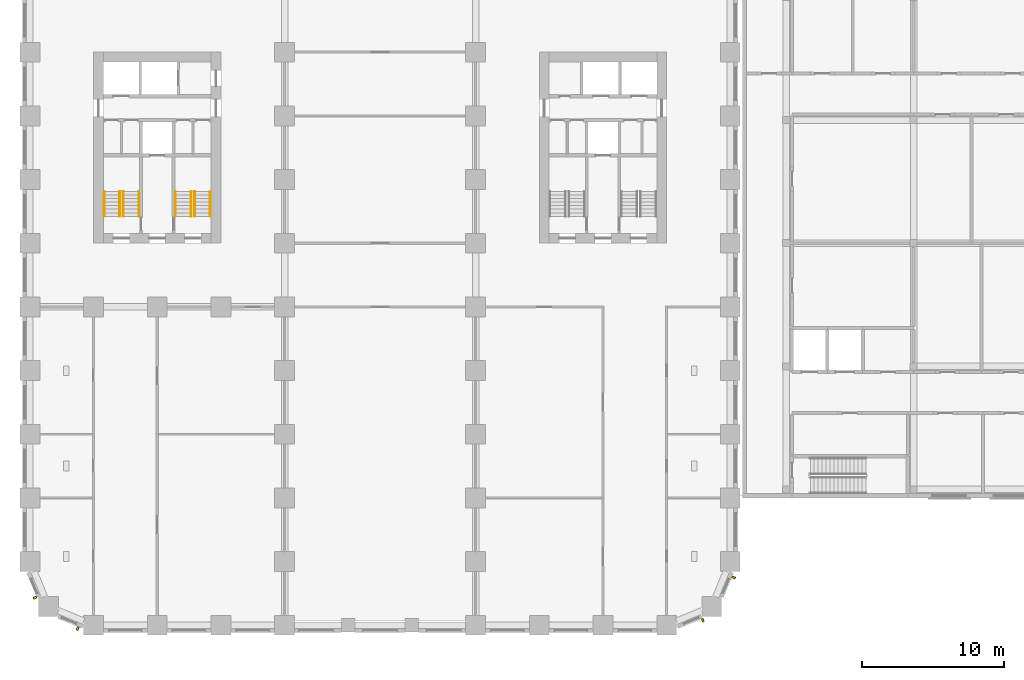
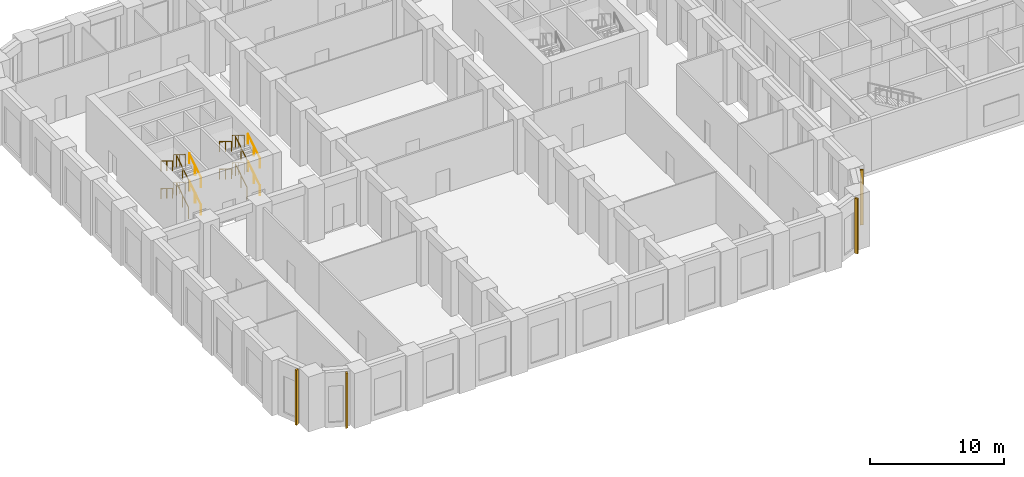
# One storey, part 13 of 19: 16 railings, 4 shading devices.
"""IFC4 building model written with IfcOpenShell, lengths in metres."""

from ifc_helpers import new_model, si_unit, direction, frame, origin, origin_2d, place, context, subcontext, project, spatial, rectangle, circle, extrude, material, type_object, element, save


model = new_model("IFC4")

# Units and contexts
model_context = context("Model", 3, precision=1e-05, world=origin(), true_north=direction((0.0, 1.0)))
body_context = subcontext(model_context, "Body", "Model", "MODEL_VIEW")
ifc_project = project(units=[si_unit("LENGTHUNIT", "METRE"), si_unit("AREAUNIT", "SQUARE_METRE"), si_unit("VOLUMEUNIT", "CUBIC_METRE"), si_unit("PLANEANGLEUNIT", "RADIAN"), si_unit("MASSUNIT", "GRAM", prefix="KILO")], contexts=[model_context])

# Site, building, storey
site_placement = place(None, origin())
site = spatial("IfcSite", under=ifc_project, at=site_placement, CompositionType="ELEMENT")
building_placement = place(site_placement, origin())
building = spatial("IfcBuilding", under=site, at=building_placement, Name="Girih Gate Residences", CompositionType="ELEMENT")
storey_placement = place(building_placement, frame((0.0, 0.0, 21.0)))
storey = spatial("IfcBuildingStorey", under=building, at=storey_placement, Name="L04", CompositionType="ELEMENT", Elevation=21.0)

# Shading devices
ifc_material_1 = material(Name="Precast concrete C50/60", Category="concrete")
shading_device_type = type_object("IfcShadingDeviceType", Name="Corner rib 150x250", PredefinedType="USERDEFINED", material=ifc_material_1)
for number, where, z_axis, x_axis, name in (
    (1, (0.35498046875, 1.9443359375, 0.0), (0.0, 0.0, 1.0), (0.382683432365, -0.923879532511, 0.0), "Corner rib SW0000_0045.0"),
    (2, (3.376220703125, -0.238037109375, 0.0), (0.0, 0.0, 1.0), (0.923879532511, -0.382683432365, 0.0), "Corner rib SW0013_0013.0"),
    (3, (47.5556640625, 0.35498046875, 0.0), (0.0, 0.0, 1.0), (0.923879532511, 0.382683432365, 0.0), "Corner rib SE0450_0000.0"),
    (4, (49.738037109375, 3.376220703125, 0.0), (0.0, 0.0, 1.0), (0.382683432365, 0.923879532511, 0.0), "Corner rib SE0482_0013.0"),
):
    element("IfcShadingDevice", number, at=place(storey_placement, frame(where, z_axis=z_axis, x_axis=x_axis)), inside=storey, type_object=shading_device_type, Name=name, ObjectType="FIN", PredefinedType="USERDEFINED", context=body_context, shape_type="SweptSolid", body=[
        extrude(rectangle(XDim=0.14990234375, YDim=0.25, at=origin_2d()), origin(), (0.0, 0.0, 1.0), 5.0),
    ])

# Railings
ifc_material_2 = material(Name="Stainless steel", Category="steel")
railing_type_1 = type_object("IfcRailingType", Name="Stair guard 1100", PredefinedType="GUARDRAIL", material=ifc_material_2)
railing_1_placement = place(storey_placement, frame((6.60009765625, 28.89990234375, 0.15625)))
element("IfcRailing", 5, at=railing_1_placement, inside=storey, type_object=railing_type_1, Name="L04 ST-W1 stair guard 1", PredefinedType="GUARDRAIL", context=body_context, shape_type="SweptSolid", body=[
    extrude(circle(Radius=0.02392578125, at=origin_2d()), frame((0.0, 0.0, 1.076171875), z_axis=(0.0, 0.847998304005, 0.529998940003), x_axis=(-1.0, 0.0, 0.0)), (0.0, 0.0, 1.0), 2.063720703125),
    extrude(circle(Radius=0.02099609375, at=origin_2d()), origin(), (0.0, 0.0, 1.0), 1.052001953125),
    extrude(circle(Radius=0.02099609375, at=origin_2d()), frame((0.0, 0.875, 0.546875)), (0.0, 0.0, 1.0), 1.052001953125),
    extrude(circle(Radius=0.02099609375, at=origin_2d()), frame((0.0, 1.75, 1.09375)), (0.0, 0.0, 1.0), 1.052001953125),
])
railing_2_placement = place(storey_placement, frame((6.35009765625, 30.64990234375, 1.40625)))
element("IfcRailing", 6, at=railing_2_placement, inside=storey, type_object=railing_type_1, Name="L04 ST-W1 stair guard 2", PredefinedType="GUARDRAIL", context=body_context, shape_type="SweptSolid", body=[
    extrude(circle(Radius=0.02392578125, at=origin_2d()), frame((0.0, 0.0, 1.076171875), z_axis=(0.0, -0.847998304005, 0.529998940003), x_axis=(1.0, 0.0, 0.0)), (0.0, 0.0, 1.0), 2.063720703125),
    extrude(circle(Radius=0.02099609375, at=origin_2d()), origin(), (0.0, 0.0, 1.0), 1.052001953125),
    extrude(circle(Radius=0.02099609375, at=origin_2d()), frame((0.0, -0.875, 0.546875)), (0.0, 0.0, 1.0), 1.052001953125),
    extrude(circle(Radius=0.02099609375, at=origin_2d()), frame((0.0, -1.75, 1.09375)), (0.0, 0.0, 1.0), 1.052001953125),
])
railing_3_placement = place(storey_placement, frame((6.60009765625, 28.89990234375, 2.65625)))
element("IfcRailing", 7, at=railing_3_placement, inside=storey, type_object=railing_type_1, Name="L04 ST-W1 stair guard 3", PredefinedType="GUARDRAIL", context=body_context, shape_type="SweptSolid", body=[
    extrude(circle(Radius=0.02392578125, at=origin_2d()), frame((0.0, 0.0, 1.076171875), z_axis=(0.0, 0.847998304005, 0.529998940003), x_axis=(-1.0, 0.0, 0.0)), (0.0, 0.0, 1.0), 2.063720703125),
    extrude(circle(Radius=0.02099609375, at=origin_2d()), origin(), (0.0, 0.0, 1.0), 1.052001953125),
    extrude(circle(Radius=0.02099609375, at=origin_2d()), frame((0.0, 0.875, 0.546875)), (0.0, 0.0, 1.0), 1.052001953125),
    extrude(circle(Radius=0.02099609375, at=origin_2d()), frame((0.0, 1.75, 1.09375)), (0.0, 0.0, 1.0), 1.052001953125),
])
railing_4_placement = place(storey_placement, frame((6.35009765625, 30.64990234375, 3.90625)))
element("IfcRailing", 8, at=railing_4_placement, inside=storey, type_object=railing_type_1, Name="L04 ST-W1 stair guard 4", PredefinedType="GUARDRAIL", context=body_context, shape_type="SweptSolid", body=[
    extrude(circle(Radius=0.02392578125, at=origin_2d()), frame((0.0, 0.0, 1.076171875), z_axis=(0.0, -0.847998304005, 0.529998940003), x_axis=(1.0, 0.0, 0.0)), (0.0, 0.0, 1.0), 2.063720703125),
    extrude(circle(Radius=0.02099609375, at=origin_2d()), origin(), (0.0, 0.0, 1.0), 1.052001953125),
    extrude(circle(Radius=0.02099609375, at=origin_2d()), frame((0.0, -0.875, 0.546875)), (0.0, 0.0, 1.0), 1.052001953125),
    extrude(circle(Radius=0.02099609375, at=origin_2d()), frame((0.0, -1.75, 1.09375)), (0.0, 0.0, 1.0), 1.052001953125),
])
railing_5_placement = place(storey_placement, frame((11.64990234375, 28.89990234375, 0.15625)))
element("IfcRailing", 9, at=railing_5_placement, inside=storey, type_object=railing_type_1, Name="L04 ST-W2 stair guard 1", PredefinedType="GUARDRAIL", context=body_context, shape_type="SweptSolid", body=[
    extrude(circle(Radius=0.02392578125, at=origin_2d()), frame((0.0, 0.0, 1.076171875), z_axis=(0.0, 0.847998304005, 0.529998940003), x_axis=(-1.0, 0.0, 0.0)), (0.0, 0.0, 1.0), 2.063720703125),
    extrude(circle(Radius=0.02099609375, at=origin_2d()), origin(), (0.0, 0.0, 1.0), 1.052001953125),
    extrude(circle(Radius=0.02099609375, at=origin_2d()), frame((0.0, 0.875, 0.546875)), (0.0, 0.0, 1.0), 1.052001953125),
    extrude(circle(Radius=0.02099609375, at=origin_2d()), frame((0.0, 1.75, 1.09375)), (0.0, 0.0, 1.0), 1.052001953125),
])
railing_6_placement = place(storey_placement, frame((11.39990234375, 30.64990234375, 1.40625)))
element("IfcRailing", 10, at=railing_6_placement, inside=storey, type_object=railing_type_1, Name="L04 ST-W2 stair guard 2", PredefinedType="GUARDRAIL", context=body_context, shape_type="SweptSolid", body=[
    extrude(circle(Radius=0.02392578125, at=origin_2d()), frame((0.0, 0.0, 1.076171875), z_axis=(0.0, -0.847998304005, 0.529998940003), x_axis=(1.0, 0.0, 0.0)), (0.0, 0.0, 1.0), 2.063720703125),
    extrude(circle(Radius=0.02099609375, at=origin_2d()), origin(), (0.0, 0.0, 1.0), 1.052001953125),
    extrude(circle(Radius=0.02099609375, at=origin_2d()), frame((0.0, -0.875, 0.546875)), (0.0, 0.0, 1.0), 1.052001953125),
    extrude(circle(Radius=0.02099609375, at=origin_2d()), frame((0.0, -1.75, 1.09375)), (0.0, 0.0, 1.0), 1.052001953125),
])
railing_7_placement = place(storey_placement, frame((11.64990234375, 28.89990234375, 2.65625)))
element("IfcRailing", 11, at=railing_7_placement, inside=storey, type_object=railing_type_1, Name="L04 ST-W2 stair guard 3", PredefinedType="GUARDRAIL", context=body_context, shape_type="SweptSolid", body=[
    extrude(circle(Radius=0.02392578125, at=origin_2d()), frame((0.0, 0.0, 1.076171875), z_axis=(0.0, 0.847998304005, 0.529998940003), x_axis=(-1.0, 0.0, 0.0)), (0.0, 0.0, 1.0), 2.063720703125),
    extrude(circle(Radius=0.02099609375, at=origin_2d()), origin(), (0.0, 0.0, 1.0), 1.052001953125),
    extrude(circle(Radius=0.02099609375, at=origin_2d()), frame((0.0, 0.875, 0.546875)), (0.0, 0.0, 1.0), 1.052001953125),
    extrude(circle(Radius=0.02099609375, at=origin_2d()), frame((0.0, 1.75, 1.09375)), (0.0, 0.0, 1.0), 1.052001953125),
])
railing_8_placement = place(storey_placement, frame((11.39990234375, 30.64990234375, 3.90625)))
element("IfcRailing", 12, at=railing_8_placement, inside=storey, type_object=railing_type_1, Name="L04 ST-W2 stair guard 4", PredefinedType="GUARDRAIL", context=body_context, shape_type="SweptSolid", body=[
    extrude(circle(Radius=0.02392578125, at=origin_2d()), frame((0.0, 0.0, 1.076171875), z_axis=(0.0, -0.847998304005, 0.529998940003), x_axis=(1.0, 0.0, 0.0)), (0.0, 0.0, 1.0), 2.063720703125),
    extrude(circle(Radius=0.02099609375, at=origin_2d()), origin(), (0.0, 0.0, 1.0), 1.052001953125),
    extrude(circle(Radius=0.02099609375, at=origin_2d()), frame((0.0, -0.875, 0.546875)), (0.0, 0.0, 1.0), 1.052001953125),
    extrude(circle(Radius=0.02099609375, at=origin_2d()), frame((0.0, -1.75, 1.09375)), (0.0, 0.0, 1.0), 1.052001953125),
])
railing_type_2 = type_object("IfcRailingType", Name="Stair handrail 900", PredefinedType="HANDRAIL", material=ifc_material_2)
railing_9_placement = place(storey_placement, frame((7.699951171875, 28.89990234375, 0.15625)))
element("IfcRailing", 13, at=railing_9_placement, inside=storey, type_object=railing_type_2, Name="L04 ST-W1 stair handrail 1", PredefinedType="HANDRAIL", context=body_context, shape_type="SweptSolid", body=[
    extrude(circle(Radius=0.02392578125, at=origin_2d()), frame((0.0, 0.0, 0.8857421875), z_axis=(0.0, 0.847998304005, 0.529998940003), x_axis=(-1.0, 0.0, 0.0)), (0.0, 0.0, 1.0), 2.063720703125),
    extrude(circle(Radius=0.02099609375, at=origin_2d()), origin(), (0.0, 0.0, 1.0), 0.86181640625),
    extrude(circle(Radius=0.02099609375, at=origin_2d()), frame((0.0, 0.875, 0.546875)), (0.0, 0.0, 1.0), 0.86181640625),
    extrude(circle(Radius=0.02099609375, at=origin_2d()), frame((0.0, 1.75, 1.09375)), (0.0, 0.0, 1.0), 0.86181640625),
])
railing_10_placement = place(storey_placement, frame((5.25, 30.64990234375, 1.40625)))
element("IfcRailing", 14, at=railing_10_placement, inside=storey, type_object=railing_type_2, Name="L04 ST-W1 stair handrail 2", PredefinedType="HANDRAIL", context=body_context, shape_type="SweptSolid", body=[
    extrude(circle(Radius=0.02392578125, at=origin_2d()), frame((0.0, 0.0, 0.8857421875), z_axis=(0.0, -0.847998304005, 0.529998940003), x_axis=(1.0, 0.0, 0.0)), (0.0, 0.0, 1.0), 2.063720703125),
    extrude(circle(Radius=0.02099609375, at=origin_2d()), origin(), (0.0, 0.0, 1.0), 0.86181640625),
    extrude(circle(Radius=0.02099609375, at=origin_2d()), frame((0.0, -0.875, 0.546875)), (0.0, 0.0, 1.0), 0.86181640625),
    extrude(circle(Radius=0.02099609375, at=origin_2d()), frame((0.0, -1.75, 1.09375)), (0.0, 0.0, 1.0), 0.86181640625),
])
railing_11_placement = place(storey_placement, frame((7.699951171875, 28.89990234375, 2.65625)))
element("IfcRailing", 15, at=railing_11_placement, inside=storey, type_object=railing_type_2, Name="L04 ST-W1 stair handrail 3", PredefinedType="HANDRAIL", context=body_context, shape_type="SweptSolid", body=[
    extrude(circle(Radius=0.02392578125, at=origin_2d()), frame((0.0, 0.0, 0.8857421875), z_axis=(0.0, 0.847998304005, 0.529998940003), x_axis=(-1.0, 0.0, 0.0)), (0.0, 0.0, 1.0), 2.063720703125),
    extrude(circle(Radius=0.02099609375, at=origin_2d()), origin(), (0.0, 0.0, 1.0), 0.86181640625),
    extrude(circle(Radius=0.02099609375, at=origin_2d()), frame((0.0, 0.875, 0.546875)), (0.0, 0.0, 1.0), 0.86181640625),
    extrude(circle(Radius=0.02099609375, at=origin_2d()), frame((0.0, 1.75, 1.09375)), (0.0, 0.0, 1.0), 0.86181640625),
])
railing_12_placement = place(storey_placement, frame((5.25, 30.64990234375, 3.90625)))
element("IfcRailing", 16, at=railing_12_placement, inside=storey, type_object=railing_type_2, Name="L04 ST-W1 stair handrail 4", PredefinedType="HANDRAIL", context=body_context, shape_type="SweptSolid", body=[
    extrude(circle(Radius=0.02392578125, at=origin_2d()), frame((0.0, 0.0, 0.8857421875), z_axis=(0.0, -0.847998304005, 0.529998940003), x_axis=(1.0, 0.0, 0.0)), (0.0, 0.0, 1.0), 2.063720703125),
    extrude(circle(Radius=0.02099609375, at=origin_2d()), origin(), (0.0, 0.0, 1.0), 0.86181640625),
    extrude(circle(Radius=0.02099609375, at=origin_2d()), frame((0.0, -0.875, 0.546875)), (0.0, 0.0, 1.0), 0.86181640625),
    extrude(circle(Radius=0.02099609375, at=origin_2d()), frame((0.0, -1.75, 1.09375)), (0.0, 0.0, 1.0), 0.86181640625),
])
railing_13_placement = place(storey_placement, frame((12.75, 28.89990234375, 0.15625)))
element("IfcRailing", 17, at=railing_13_placement, inside=storey, type_object=railing_type_2, Name="L04 ST-W2 stair handrail 1", PredefinedType="HANDRAIL", context=body_context, shape_type="SweptSolid", body=[
    extrude(circle(Radius=0.02392578125, at=origin_2d()), frame((0.0, 0.0, 0.8857421875), z_axis=(0.0, 0.847998304005, 0.529998940003), x_axis=(-1.0, 0.0, 0.0)), (0.0, 0.0, 1.0), 2.063720703125),
    extrude(circle(Radius=0.02099609375, at=origin_2d()), origin(), (0.0, 0.0, 1.0), 0.86181640625),
    extrude(circle(Radius=0.02099609375, at=origin_2d()), frame((0.0, 0.875, 0.546875)), (0.0, 0.0, 1.0), 0.86181640625),
    extrude(circle(Radius=0.02099609375, at=origin_2d()), frame((0.0, 1.75, 1.09375)), (0.0, 0.0, 1.0), 0.86181640625),
])
railing_14_placement = place(storey_placement, frame((10.300048828125, 30.64990234375, 1.40625)))
element("IfcRailing", 18, at=railing_14_placement, inside=storey, type_object=railing_type_2, Name="L04 ST-W2 stair handrail 2", PredefinedType="HANDRAIL", context=body_context, shape_type="SweptSolid", body=[
    extrude(circle(Radius=0.02392578125, at=origin_2d()), frame((0.0, 0.0, 0.8857421875), z_axis=(0.0, -0.847998304005, 0.529998940003), x_axis=(1.0, 0.0, 0.0)), (0.0, 0.0, 1.0), 2.063720703125),
    extrude(circle(Radius=0.02099609375, at=origin_2d()), origin(), (0.0, 0.0, 1.0), 0.86181640625),
    extrude(circle(Radius=0.02099609375, at=origin_2d()), frame((0.0, -0.875, 0.546875)), (0.0, 0.0, 1.0), 0.86181640625),
    extrude(circle(Radius=0.02099609375, at=origin_2d()), frame((0.0, -1.75, 1.09375)), (0.0, 0.0, 1.0), 0.86181640625),
])
railing_15_placement = place(storey_placement, frame((12.75, 28.89990234375, 2.65625)))
element("IfcRailing", 19, at=railing_15_placement, inside=storey, type_object=railing_type_2, Name="L04 ST-W2 stair handrail 3", PredefinedType="HANDRAIL", context=body_context, shape_type="SweptSolid", body=[
    extrude(circle(Radius=0.02392578125, at=origin_2d()), frame((0.0, 0.0, 0.8857421875), z_axis=(0.0, 0.847998304005, 0.529998940003), x_axis=(-1.0, 0.0, 0.0)), (0.0, 0.0, 1.0), 2.063720703125),
    extrude(circle(Radius=0.02099609375, at=origin_2d()), origin(), (0.0, 0.0, 1.0), 0.86181640625),
    extrude(circle(Radius=0.02099609375, at=origin_2d()), frame((0.0, 0.875, 0.546875)), (0.0, 0.0, 1.0), 0.86181640625),
    extrude(circle(Radius=0.02099609375, at=origin_2d()), frame((0.0, 1.75, 1.09375)), (0.0, 0.0, 1.0), 0.86181640625),
])
railing_16_placement = place(storey_placement, frame((10.300048828125, 30.64990234375, 3.90625)))
element("IfcRailing", 20, at=railing_16_placement, inside=storey, type_object=railing_type_2, Name="L04 ST-W2 stair handrail 4", PredefinedType="HANDRAIL", context=body_context, shape_type="SweptSolid", body=[
    extrude(circle(Radius=0.02392578125, at=origin_2d()), frame((0.0, 0.0, 0.8857421875), z_axis=(0.0, -0.847998304005, 0.529998940003), x_axis=(1.0, 0.0, 0.0)), (0.0, 0.0, 1.0), 2.063720703125),
    extrude(circle(Radius=0.02099609375, at=origin_2d()), origin(), (0.0, 0.0, 1.0), 0.86181640625),
    extrude(circle(Radius=0.02099609375, at=origin_2d()), frame((0.0, -0.875, 0.546875)), (0.0, 0.0, 1.0), 0.86181640625),
    extrude(circle(Radius=0.02099609375, at=origin_2d()), frame((0.0, -1.75, 1.09375)), (0.0, 0.0, 1.0), 0.86181640625),
])

save(model, "model.ifc")
